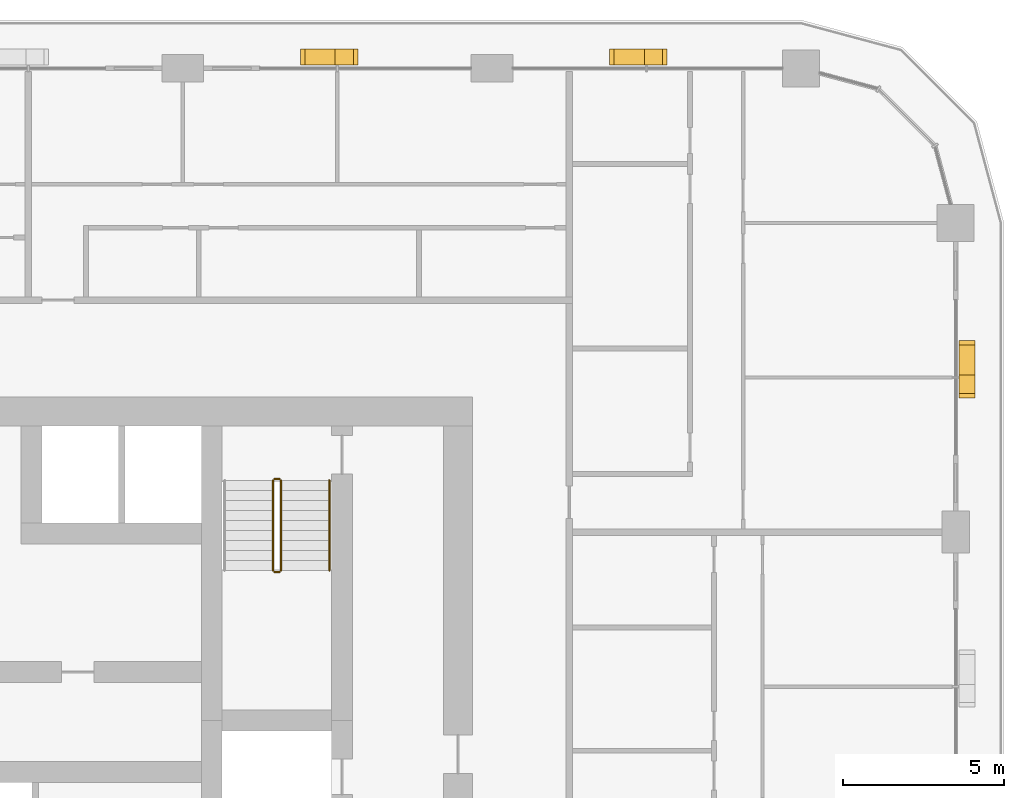
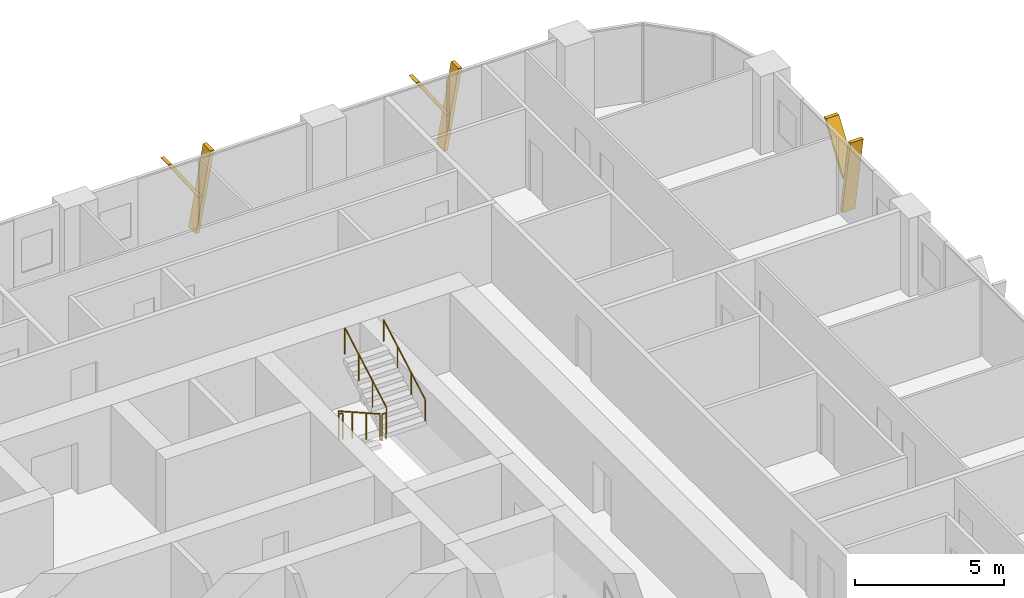
# One storey, part 22 of 22: 6 shading devices, 5 railings.
"""IFC4 building model written with IfcOpenShell, lengths in metres."""

from ifc_helpers import new_model, si_unit, direction, frame, origin, origin_2d, place, context, subcontext, project, spatial, polyline, circle, outline, extrude, material, type_object, element, save


model = new_model("IFC4")

# Units and contexts
model_context = context("Model", 3, precision=1e-05, world=origin(), true_north=direction((0.0, 1.0)))
body_context = subcontext(model_context, "Body", "Model", "MODEL_VIEW")
ifc_project = project(units=[si_unit("LENGTHUNIT", "METRE"), si_unit("AREAUNIT", "SQUARE_METRE"), si_unit("VOLUMEUNIT", "CUBIC_METRE"), si_unit("PLANEANGLEUNIT", "RADIAN"), si_unit("MASSUNIT", "GRAM", prefix="KILO")], contexts=[model_context])

# Site, building, storey
site_placement = place(None, origin())
site = spatial("IfcSite", under=ifc_project, at=site_placement, CompositionType="ELEMENT")
building_placement = place(site_placement, origin())
building = spatial("IfcBuilding", under=site, at=building_placement, Name="Madar Terraces", CompositionType="ELEMENT")
storey_placement = place(building_placement, frame((0.0, 0.0, 73.300048828125)))
storey = spatial("IfcBuildingStorey", under=building, at=storey_placement, Name="L18", CompositionType="ELEMENT", Elevation=73.300048828125)

# Shading devices
ifc_material_1 = material(Name="Aluminium, black anodised", Category="aluminium")
shading_device_type = type_object("IfcShadingDeviceType", Name="Facade fin blade 140 x 500", PredefinedType="USERDEFINED", material=ifc_material_1)
shading_device_1_placement = place(storey_placement, frame((62.75, 38.330078125, 0.0), z_axis=(0.0, 0.0, 1.0), x_axis=(0.0, 1.0, 0.0)))
element("IfcShadingDevice", 1, at=shading_device_1_placement, inside=storey, type_object=shading_device_type, Name="FIN L18 E4", ObjectType="FIN", PredefinedType="USERDEFINED", context=body_context, shape_type="SweptSolid", body=[
    extrude(outline(polyline([(0.0, 0.0), (0.139892578125, 0.0), (-0.42431640625, 3.199951171875), (-0.564208984375, 3.199951171875), (0.0, 0.0)])), frame((0.0, 0.25, 0.0), z_axis=(0.0, -1.0, 0.0), x_axis=(1.0, 0.0, 0.0)), (0.0, 0.0, 1.0), 0.5),
])
shading_device_2_placement = place(storey_placement, frame((62.75, 38.216064453125, 1.43994140625), z_axis=(0.0, 0.0, 1.0), x_axis=(0.0, 1.0, 0.0)))
element("IfcShadingDevice", 2, at=shading_device_2_placement, inside=storey, type_object=shading_device_type, Name="FIN L18 E4 branch", ObjectType="FIN", PredefinedType="USERDEFINED", context=body_context, shape_type="SweptSolid", body=[
    extrude(outline(polyline([(0.0, 0.0), (0.14013671875, 0.0), (1.32958984375, 1.760009765625), (1.189697265625, 1.760009765625), (0.0, 0.0)])), frame((0.0, 0.25, 0.0), z_axis=(0.0, -1.0, 0.0), x_axis=(1.0, 0.0, 0.0)), (0.0, 0.0, 1.0), 0.5),
])
shading_device_3_placement = place(storey_placement, frame((52.8701171875, 48.35009765625, 0.0), z_axis=(0.0, 0.0, 1.0), x_axis=(-1.0, 0.0, 0.0)))
element("IfcShadingDevice", 3, at=shading_device_3_placement, inside=storey, type_object=shading_device_type, Name="FIN L18 N1", ObjectType="FIN", PredefinedType="USERDEFINED", context=body_context, shape_type="SweptSolid", body=[
    extrude(outline(polyline([(0.0, 0.0), (0.14013671875, 0.0), (-0.42431640625, 3.199951171875), (-0.564208984375, 3.199951171875), (0.0, 0.0)])), frame((0.0, 0.25, 0.0), z_axis=(0.0, -1.0, 0.0), x_axis=(1.0, 0.0, 0.0)), (0.0, 0.0, 1.0), 0.5),
])
shading_device_4_placement = place(storey_placement, frame((52.98388671875, 48.35009765625, 1.43994140625), z_axis=(0.0, 0.0, 1.0), x_axis=(-1.0, 0.0, 0.0)))
element("IfcShadingDevice", 4, at=shading_device_4_placement, inside=storey, type_object=shading_device_type, Name="FIN L18 N1 branch", ObjectType="FIN", PredefinedType="USERDEFINED", context=body_context, shape_type="SweptSolid", body=[
    extrude(outline(polyline([(0.0, 0.0), (0.139892578125, 0.0), (1.32958984375, 1.760009765625), (1.189697265625, 1.760009765625), (0.0, 0.0)])), frame((0.0, 0.25, 0.0), z_axis=(0.0, -1.0, 0.0), x_axis=(1.0, 0.0, 0.0)), (0.0, 0.0, 1.0), 0.5),
])
shading_device_5_placement = place(storey_placement, frame((43.27001953125, 48.35009765625, 0.0), z_axis=(0.0, 0.0, 1.0), x_axis=(-1.0, 0.0, 0.0)))
element("IfcShadingDevice", 5, at=shading_device_5_placement, inside=storey, type_object=shading_device_type, Name="FIN L18 N2", ObjectType="FIN", PredefinedType="USERDEFINED", context=body_context, shape_type="SweptSolid", body=[
    extrude(outline(polyline([(0.0, 0.0), (0.14013671875, 0.0), (-0.42431640625, 3.199951171875), (-0.564208984375, 3.199951171875), (0.0, 0.0)])), frame((0.0, 0.25, 0.0), z_axis=(0.0, -1.0, 0.0), x_axis=(1.0, 0.0, 0.0)), (0.0, 0.0, 1.0), 0.5),
])
shading_device_6_placement = place(storey_placement, frame((43.3837890625, 48.35009765625, 1.43994140625), z_axis=(0.0, 0.0, 1.0), x_axis=(-1.0, 0.0, 0.0)))
element("IfcShadingDevice", 6, at=shading_device_6_placement, inside=storey, type_object=shading_device_type, Name="FIN L18 N2 branch", ObjectType="FIN", PredefinedType="USERDEFINED", context=body_context, shape_type="SweptSolid", body=[
    extrude(outline(polyline([(0.0, 0.0), (0.139892578125, 0.0), (1.32958984375, 1.760009765625), (1.189697265625, 1.760009765625), (0.0, 0.0)])), frame((0.0, 0.25, 0.0), z_axis=(0.0, -1.0, 0.0), x_axis=(1.0, 0.0, 0.0)), (0.0, 0.0, 1.0), 0.5),
])

# Railings
ifc_material_2 = material(Name="Stainless steel railing", Category="steel")
railing_type_1 = type_object("IfcRailingType", Name="Stair guard 1100", PredefinedType="GUARDRAIL", material=ifc_material_2)
railing_1_placement = place(storey_placement, frame((41.199951171875, 35.199951171875, 0.175048828125)))
element("IfcRailing", 7, at=railing_1_placement, inside=storey, type_object=railing_type_1, Name="L18 ST2 stair guard 1", PredefinedType="GUARDRAIL", context=body_context, shape_type="SweptSolid", body=[
    extrude(circle(Radius=0.02392578125, at=origin_2d()), frame((0.0, 0.0, 1.076171875), z_axis=(0.0, -0.870833779661, 0.491577591232), x_axis=(1.0, 0.0, 0.0)), (0.0, 0.0, 1.0), 3.203857421875),
    extrude(circle(Radius=0.02099609375, at=origin_2d()), origin(), (0.0, 0.0, 1.0), 1.052001953125),
    extrude(circle(Radius=0.02099609375, at=origin_2d()), frame((0.0, -0.929931640625, 0.52490234375)), (0.0, 0.0, 1.0), 1.052001953125),
    extrude(circle(Radius=0.02099609375, at=origin_2d()), frame((0.0, -1.860107421875, 1.050048828125)), (0.0, 0.0, 1.0), 1.052001953125),
    extrude(circle(Radius=0.02099609375, at=origin_2d()), frame((0.0, -2.7900390625, 1.574951171875)), (0.0, 0.0, 1.0), 1.052001953125),
])
railing_2_placement = place(storey_placement, frame((41.25, 32.360107421875, 1.75)))
element("IfcRailing", 8, at=railing_2_placement, inside=storey, type_object=railing_type_1, Name="L18 ST2 stair guard 2", PredefinedType="GUARDRAIL", context=body_context, shape_type="SweptSolid", body=[
    extrude(circle(Radius=0.02392578125, at=origin_2d()), frame((0.0, 0.0, 1.076171875), z_axis=(1.0, 0.0, 0.0), x_axis=(0.0, 1.0, 0.0)), (0.0, 0.0, 1.0), 0.14990234375),
    extrude(circle(Radius=0.02099609375, at=origin_2d()), origin(), (0.0, 0.0, 1.0), 1.052001953125),
    extrude(circle(Radius=0.02099609375, at=origin_2d()), frame((0.14990234375, 0.0, 0.0)), (0.0, 0.0, 1.0), 1.052001953125),
])
railing_3_placement = place(storey_placement, frame((41.449951171875, 32.409912109375, 1.925048828125)))
element("IfcRailing", 9, at=railing_3_placement, inside=storey, type_object=railing_type_1, Name="L18 ST2 stair guard 3", PredefinedType="GUARDRAIL", context=body_context, shape_type="SweptSolid", body=[
    extrude(circle(Radius=0.02392578125, at=origin_2d()), frame((0.0, 0.0, 1.076171875), z_axis=(0.0, 0.870833779661, 0.491577591232), x_axis=(-1.0, 0.0, 0.0)), (0.0, 0.0, 1.0), 3.203857421875),
    extrude(circle(Radius=0.02099609375, at=origin_2d()), origin(), (0.0, 0.0, 1.0), 1.052001953125),
    extrude(circle(Radius=0.02099609375, at=origin_2d()), frame((0.0, 0.929931640625, 0.52490234375)), (0.0, 0.0, 1.0), 1.052001953125),
    extrude(circle(Radius=0.02099609375, at=origin_2d()), frame((0.0, 1.860107421875, 1.050048828125)), (0.0, 0.0, 1.0), 1.052001953125),
    extrude(circle(Radius=0.02099609375, at=origin_2d()), frame((0.0, 2.7900390625, 1.574951171875)), (0.0, 0.0, 1.0), 1.052001953125),
])
railing_4_placement = place(storey_placement, frame((41.25, 35.25, 0.0)))
element("IfcRailing", 10, at=railing_4_placement, inside=storey, type_object=railing_type_1, Name="L18 ST2 stair guard 4", PredefinedType="GUARDRAIL", context=body_context, shape_type="SweptSolid", body=[
    extrude(circle(Radius=0.02392578125, at=origin_2d()), frame((0.0, 0.0, 1.076171875), z_axis=(1.0, 0.0, 0.0), x_axis=(0.0, 1.0, 0.0)), (0.0, 0.0, 1.0), 0.14990234375),
    extrude(circle(Radius=0.02099609375, at=origin_2d()), origin(), (0.0, 0.0, 1.0), 1.052001953125),
    extrude(circle(Radius=0.02099609375, at=origin_2d()), frame((0.14990234375, 0.0, 0.0)), (0.0, 0.0, 1.0), 1.052001953125),
])
ifc_material_3 = material(Name="Stainless steel railing", Category="steel")
railing_type_2 = type_object("IfcRailingType", Name="Stair handrail 900", PredefinedType="HANDRAIL", material=ifc_material_3)
railing_5_placement = place(storey_placement, frame((42.949951171875, 32.409912109375, 1.925048828125)))
element("IfcRailing", 11, at=railing_5_placement, inside=storey, type_object=railing_type_2, Name="L18 ST2 stair handrail 2", PredefinedType="HANDRAIL", context=body_context, shape_type="SweptSolid", body=[
    extrude(circle(Radius=0.02392578125, at=origin_2d()), frame((0.0, 0.0, 0.8759765625), z_axis=(0.0, 0.870833779661, 0.491577591232), x_axis=(-1.0, 0.0, 0.0)), (0.0, 0.0, 1.0), 3.203857421875),
    extrude(circle(Radius=0.02099609375, at=origin_2d()), origin(), (0.0, 0.0, 1.0), 0.851806640625),
    extrude(circle(Radius=0.02099609375, at=origin_2d()), frame((0.0, 0.929931640625, 0.52490234375)), (0.0, 0.0, 1.0), 0.851806640625),
    extrude(circle(Radius=0.02099609375, at=origin_2d()), frame((0.0, 1.860107421875, 1.050048828125)), (0.0, 0.0, 1.0), 0.851806640625),
    extrude(circle(Radius=0.02099609375, at=origin_2d()), frame((0.0, 2.7900390625, 1.574951171875)), (0.0, 0.0, 1.0), 0.851806640625),
])

save(model, "model.ifc")
